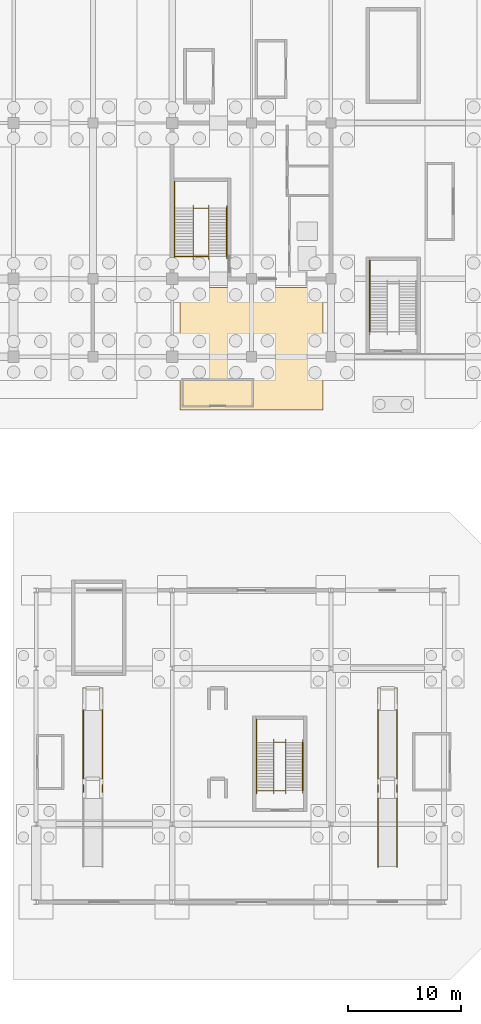
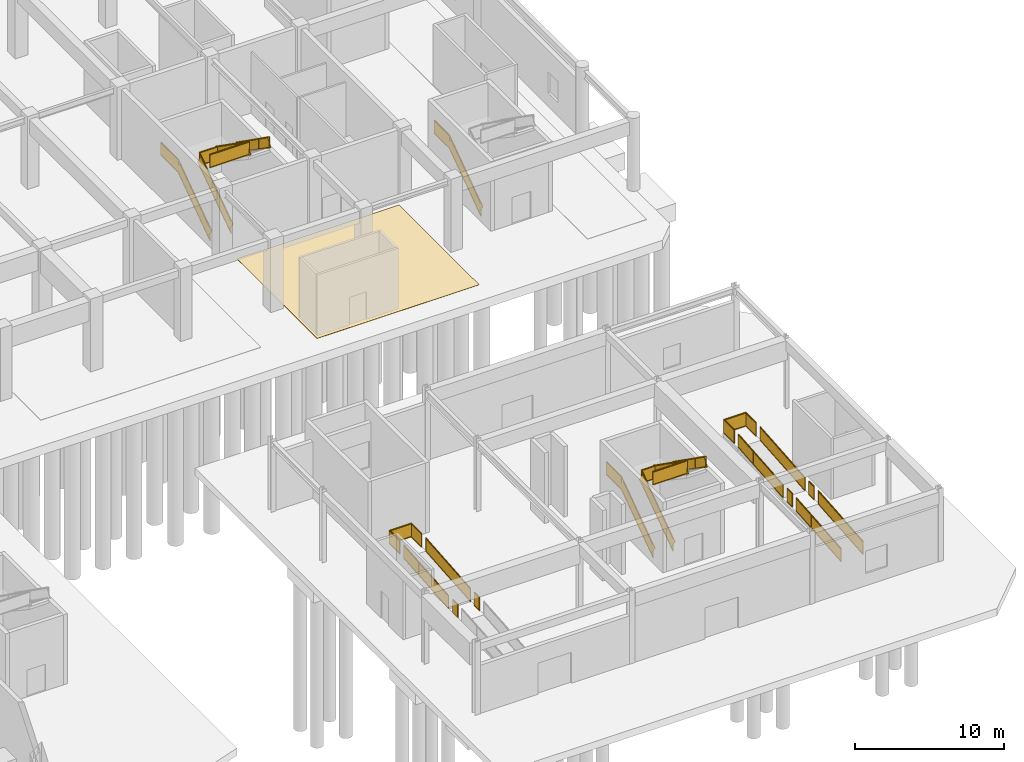
# One storey, part 58 of 62: 19 railings, 1 covering.
"""IFC4 building model written with IfcOpenShell, lengths in metres."""

from ifc_helpers import new_model, si_unit, direction, frame, origin, origin_2d, place, context, subcontext, project, spatial, polyline, rectangle, outline, extrude, material, layer, layer_set, type_object, element, save


model = new_model("IFC4")

# Units and contexts
model_context = context("Model", 3, precision=1e-05, world=origin(), true_north=direction((0.0, 1.0)))
body_context = subcontext(model_context, "Body", "Model", "MODEL_VIEW")
ifc_project = project(units=[si_unit("LENGTHUNIT", "METRE"), si_unit("AREAUNIT", "SQUARE_METRE"), si_unit("VOLUMEUNIT", "CUBIC_METRE"), si_unit("PLANEANGLEUNIT", "RADIAN"), si_unit("MASSUNIT", "GRAM", prefix="KILO")], contexts=[model_context])

# Site, building, storey
site_placement = place(None, origin())
site = spatial("IfcSite", under=ifc_project, at=site_placement, CompositionType="ELEMENT")
building_placement = place(site_placement, origin())
building = spatial("IfcBuilding", under=site, at=building_placement, Name="Linyun Crest Stadium", CompositionType="ELEMENT")
storey_placement = place(building_placement, frame((0.0, 0.0, -6.0)))
storey = spatial("IfcBuildingStorey", under=building, at=storey_placement, Name="B1", CompositionType="ELEMENT", Elevation=-6.0)

# Covering
ifc_material_1 = material(Name="Polymeric cushioned multi-sport athletic flooring")
ifc_layer = layer(ifc_material_1, 0.01806640625)
ifc_layer_set = layer_set([ifc_layer], Name="Polymeric cushioned multi-sport athletic flooring")
covering_type = type_object("IfcCoveringType", Name="FLR01", PredefinedType="FLOORING", material=ifc_layer_set)
covering_placement = place(storey_placement, origin())
element("IfcCovering", 1, at=covering_placement, inside=storey, type_object=covering_type, Name="Athletic flooring FLR01 63", PredefinedType="FLOORING", context=body_context, shape_type="SweptSolid", body=[
    extrude(outline(polyline([(70.699951171875, -50.699951171875), (83.300048828125, -50.699951171875), (83.300048828125, -39.89990234375), (70.699951171875, -39.89990234375), (70.699951171875, -50.699951171875)])), origin(), (0.0, 0.0, 1.0), 0.01806640625),
])

# Railings
ifc_material_2 = material(Name="Verdigris painted steel botanical balustrade", Category="steel")
railing_type_1 = type_object("IfcRailingType", Name="GR01", PredefinedType="BALUSTRADE", material=ifc_material_2)
railing_1_placement = place(storey_placement, frame((62.159912109375, -84.422119140625, 0.5)))
element("IfcRailing", 2, at=railing_1_placement, inside=storey, type_object=railing_type_1, Name="Slab edge balustrade GR01 394", PredefinedType="BALUSTRADE", context=body_context, shape_type="SweptSolid", body=[
    extrude(rectangle(XDim=0.06005859375, YDim=0.06005859375, at=origin_2d()), frame((0.0, 0.0, 1.119873046875), z_axis=(0.0, 1.0, 0.0), x_axis=(-1.0, 0.0, 0.0)), (0.0, 0.0, 1.0), 0.64404296875),
    extrude(rectangle(XDim=0.030029296875, YDim=1.02978515625, at=origin_2d()), frame((0.0, 0.0, 0.574951171875), z_axis=(0.0, 1.0, 0.0), x_axis=(-1.0, 0.0, 0.0)), (0.0, 0.0, 1.0), 0.64404296875),
    extrude(rectangle(XDim=0.06005859375, YDim=0.06005859375, at=origin_2d()), frame((0.0, 0.0, 0.030029296875), z_axis=(0.0, 1.0, 0.0), x_axis=(-1.0, 0.0, 0.0)), (0.0, 0.0, 1.0), 0.64404296875),
    extrude(rectangle(XDim=0.050048828125, YDim=0.050048828125, at=origin_2d()), origin(), (0.0, 0.0, 1.0), 1.14990234375),
    extrude(rectangle(XDim=0.050048828125, YDim=0.050048828125, at=origin_2d()), frame((0.0, 0.64404296875, 0.0)), (0.0, 0.0, 1.0), 1.14990234375),
])
railing_2_placement = place(storey_placement, frame((63.840087890625, -83.778076171875, 0.5)))
element("IfcRailing", 3, at=railing_2_placement, inside=storey, type_object=railing_type_1, Name="Slab edge balustrade GR01 395", PredefinedType="BALUSTRADE", context=body_context, shape_type="SweptSolid", body=[
    extrude(rectangle(XDim=0.06005859375, YDim=0.06005859375, at=origin_2d()), frame((0.0, 0.0, 1.119873046875), z_axis=(0.0, -1.0, 0.0), x_axis=(1.0, 0.0, 0.0)), (0.0, 0.0, 1.0), 0.64404296875),
    extrude(rectangle(XDim=0.030029296875, YDim=1.02978515625, at=origin_2d()), frame((0.0, 0.0, 0.574951171875), z_axis=(0.0, -1.0, 0.0), x_axis=(1.0, 0.0, 0.0)), (0.0, 0.0, 1.0), 0.64404296875),
    extrude(rectangle(XDim=0.06005859375, YDim=0.06005859375, at=origin_2d()), frame((0.0, 0.0, 0.030029296875), z_axis=(0.0, -1.0, 0.0), x_axis=(1.0, 0.0, 0.0)), (0.0, 0.0, 1.0), 0.64404296875),
    extrude(rectangle(XDim=0.050048828125, YDim=0.050048828125, at=origin_2d()), origin(), (0.0, 0.0, 1.0), 1.14990234375),
    extrude(rectangle(XDim=0.050048828125, YDim=0.050048828125, at=origin_2d()), frame((0.0, -0.64404296875, 0.0)), (0.0, 0.0, 1.0), 1.14990234375),
])
railing_3_placement = place(storey_placement, frame((62.159912109375, -76.6220703125, 1.0)))
element("IfcRailing", 4, at=railing_3_placement, inside=storey, type_object=railing_type_1, Name="Slab edge balustrade GR01 396", PredefinedType="BALUSTRADE", context=body_context, shape_type="SweptSolid", body=[
    extrude(rectangle(XDim=0.06005859375, YDim=0.06005859375, at=origin_2d()), frame((0.0, 0.0, 1.119873046875), z_axis=(0.0, 1.0, 0.0), x_axis=(-1.0, 0.0, 0.0)), (0.0, 0.0, 1.0), 1.362060546875),
    extrude(rectangle(XDim=0.030029296875, YDim=1.02978515625, at=origin_2d()), frame((0.0, 0.0, 0.574951171875), z_axis=(0.0, 1.0, 0.0), x_axis=(-1.0, 0.0, 0.0)), (0.0, 0.0, 1.0), 1.362060546875),
    extrude(rectangle(XDim=0.06005859375, YDim=0.06005859375, at=origin_2d()), frame((0.0, 0.0, 0.030029296875), z_axis=(0.0, 1.0, 0.0), x_axis=(-1.0, 0.0, 0.0)), (0.0, 0.0, 1.0), 1.362060546875),
    extrude(rectangle(XDim=0.06005859375, YDim=0.06005859375, at=origin_2d()), frame((0.0, 1.362060546875, 1.119873046875), z_axis=(1.0, 0.0, 0.0), x_axis=(0.0, 1.0, 0.0)), (0.0, 0.0, 1.0), 1.68017578125),
    extrude(rectangle(XDim=0.030029296875, YDim=1.02978515625, at=origin_2d()), frame((0.0, 1.362060546875, 0.574951171875), z_axis=(1.0, 0.0, 0.0), x_axis=(0.0, 1.0, 0.0)), (0.0, 0.0, 1.0), 1.68017578125),
    extrude(rectangle(XDim=0.06005859375, YDim=0.06005859375, at=origin_2d()), frame((0.0, 1.362060546875, 0.030029296875), z_axis=(1.0, 0.0, 0.0), x_axis=(0.0, 1.0, 0.0)), (0.0, 0.0, 1.0), 1.68017578125),
    extrude(rectangle(XDim=0.06005859375, YDim=0.06005859375, at=origin_2d()), frame((1.68017578125, 1.362060546875, 1.119873046875), z_axis=(0.0, -1.0, 0.0), x_axis=(1.0, 0.0, 0.0)), (0.0, 0.0, 1.0), 1.362060546875),
    extrude(rectangle(XDim=0.030029296875, YDim=1.02978515625, at=origin_2d()), frame((1.68017578125, 1.362060546875, 0.574951171875), z_axis=(0.0, -1.0, 0.0), x_axis=(1.0, 0.0, 0.0)), (0.0, 0.0, 1.0), 1.362060546875),
    extrude(rectangle(XDim=0.06005859375, YDim=0.06005859375, at=origin_2d()), frame((1.68017578125, 1.362060546875, 0.030029296875), z_axis=(0.0, -1.0, 0.0), x_axis=(1.0, 0.0, 0.0)), (0.0, 0.0, 1.0), 1.362060546875),
    extrude(rectangle(XDim=0.050048828125, YDim=0.050048828125, at=origin_2d()), origin(), (0.0, 0.0, 1.0), 1.14990234375),
    extrude(rectangle(XDim=0.050048828125, YDim=0.050048828125, at=origin_2d()), frame((0.0, 1.362060546875, 0.0)), (0.0, 0.0, 1.0), 1.14990234375),
    extrude(rectangle(XDim=0.050048828125, YDim=0.050048828125, at=origin_2d()), frame((1.68017578125, 1.362060546875, 0.0)), (0.0, 0.0, 1.0), 1.14990234375),
    extrude(rectangle(XDim=0.050048828125, YDim=0.050048828125, at=origin_2d()), frame((1.68017578125, 0.0, 0.0)), (0.0, 0.0, 1.0), 1.14990234375),
])
railing_4_placement = place(storey_placement, frame((88.159912109375, -84.422119140625, 0.5)))
element("IfcRailing", 5, at=railing_4_placement, inside=storey, type_object=railing_type_1, Name="Slab edge balustrade GR01 397", PredefinedType="BALUSTRADE", context=body_context, shape_type="SweptSolid", body=[
    extrude(rectangle(XDim=0.06005859375, YDim=0.06005859375, at=origin_2d()), frame((0.0, 0.0, 1.119873046875), z_axis=(0.0, 1.0, 0.0), x_axis=(-1.0, 0.0, 0.0)), (0.0, 0.0, 1.0), 0.64404296875),
    extrude(rectangle(XDim=0.030029296875, YDim=1.02978515625, at=origin_2d()), frame((0.0, 0.0, 0.574951171875), z_axis=(0.0, 1.0, 0.0), x_axis=(-1.0, 0.0, 0.0)), (0.0, 0.0, 1.0), 0.64404296875),
    extrude(rectangle(XDim=0.06005859375, YDim=0.06005859375, at=origin_2d()), frame((0.0, 0.0, 0.030029296875), z_axis=(0.0, 1.0, 0.0), x_axis=(-1.0, 0.0, 0.0)), (0.0, 0.0, 1.0), 0.64404296875),
    extrude(rectangle(XDim=0.050048828125, YDim=0.050048828125, at=origin_2d()), origin(), (0.0, 0.0, 1.0), 1.14990234375),
    extrude(rectangle(XDim=0.050048828125, YDim=0.050048828125, at=origin_2d()), frame((0.0, 0.64404296875, 0.0)), (0.0, 0.0, 1.0), 1.14990234375),
])
railing_5_placement = place(storey_placement, frame((89.840087890625, -83.778076171875, 0.5)))
element("IfcRailing", 6, at=railing_5_placement, inside=storey, type_object=railing_type_1, Name="Slab edge balustrade GR01 398", PredefinedType="BALUSTRADE", context=body_context, shape_type="SweptSolid", body=[
    extrude(rectangle(XDim=0.06005859375, YDim=0.06005859375, at=origin_2d()), frame((0.0, 0.0, 1.119873046875), z_axis=(0.0, -1.0, 0.0), x_axis=(1.0, 0.0, 0.0)), (0.0, 0.0, 1.0), 0.64404296875),
    extrude(rectangle(XDim=0.030029296875, YDim=1.02978515625, at=origin_2d()), frame((0.0, 0.0, 0.574951171875), z_axis=(0.0, -1.0, 0.0), x_axis=(1.0, 0.0, 0.0)), (0.0, 0.0, 1.0), 0.64404296875),
    extrude(rectangle(XDim=0.06005859375, YDim=0.06005859375, at=origin_2d()), frame((0.0, 0.0, 0.030029296875), z_axis=(0.0, -1.0, 0.0), x_axis=(1.0, 0.0, 0.0)), (0.0, 0.0, 1.0), 0.64404296875),
    extrude(rectangle(XDim=0.050048828125, YDim=0.050048828125, at=origin_2d()), origin(), (0.0, 0.0, 1.0), 1.14990234375),
    extrude(rectangle(XDim=0.050048828125, YDim=0.050048828125, at=origin_2d()), frame((0.0, -0.64404296875, 0.0)), (0.0, 0.0, 1.0), 1.14990234375),
])
railing_6_placement = place(storey_placement, frame((88.159912109375, -76.6220703125, 1.0)))
element("IfcRailing", 7, at=railing_6_placement, inside=storey, type_object=railing_type_1, Name="Slab edge balustrade GR01 399", PredefinedType="BALUSTRADE", context=body_context, shape_type="SweptSolid", body=[
    extrude(rectangle(XDim=0.06005859375, YDim=0.06005859375, at=origin_2d()), frame((0.0, 0.0, 1.119873046875), z_axis=(0.0, 1.0, 0.0), x_axis=(-1.0, 0.0, 0.0)), (0.0, 0.0, 1.0), 1.362060546875),
    extrude(rectangle(XDim=0.030029296875, YDim=1.02978515625, at=origin_2d()), frame((0.0, 0.0, 0.574951171875), z_axis=(0.0, 1.0, 0.0), x_axis=(-1.0, 0.0, 0.0)), (0.0, 0.0, 1.0), 1.362060546875),
    extrude(rectangle(XDim=0.06005859375, YDim=0.06005859375, at=origin_2d()), frame((0.0, 0.0, 0.030029296875), z_axis=(0.0, 1.0, 0.0), x_axis=(-1.0, 0.0, 0.0)), (0.0, 0.0, 1.0), 1.362060546875),
    extrude(rectangle(XDim=0.06005859375, YDim=0.06005859375, at=origin_2d()), frame((0.0, 1.362060546875, 1.119873046875), z_axis=(1.0, 0.0, 0.0), x_axis=(0.0, 1.0, 0.0)), (0.0, 0.0, 1.0), 1.68017578125),
    extrude(rectangle(XDim=0.030029296875, YDim=1.02978515625, at=origin_2d()), frame((0.0, 1.362060546875, 0.574951171875), z_axis=(1.0, 0.0, 0.0), x_axis=(0.0, 1.0, 0.0)), (0.0, 0.0, 1.0), 1.68017578125),
    extrude(rectangle(XDim=0.06005859375, YDim=0.06005859375, at=origin_2d()), frame((0.0, 1.362060546875, 0.030029296875), z_axis=(1.0, 0.0, 0.0), x_axis=(0.0, 1.0, 0.0)), (0.0, 0.0, 1.0), 1.68017578125),
    extrude(rectangle(XDim=0.06005859375, YDim=0.06005859375, at=origin_2d()), frame((1.68017578125, 1.362060546875, 1.119873046875), z_axis=(0.0, -1.0, 0.0), x_axis=(1.0, 0.0, 0.0)), (0.0, 0.0, 1.0), 1.362060546875),
    extrude(rectangle(XDim=0.030029296875, YDim=1.02978515625, at=origin_2d()), frame((1.68017578125, 1.362060546875, 0.574951171875), z_axis=(0.0, -1.0, 0.0), x_axis=(1.0, 0.0, 0.0)), (0.0, 0.0, 1.0), 1.362060546875),
    extrude(rectangle(XDim=0.06005859375, YDim=0.06005859375, at=origin_2d()), frame((1.68017578125, 1.362060546875, 0.030029296875), z_axis=(0.0, -1.0, 0.0), x_axis=(1.0, 0.0, 0.0)), (0.0, 0.0, 1.0), 1.362060546875),
    extrude(rectangle(XDim=0.050048828125, YDim=0.050048828125, at=origin_2d()), origin(), (0.0, 0.0, 1.0), 1.14990234375),
    extrude(rectangle(XDim=0.050048828125, YDim=0.050048828125, at=origin_2d()), frame((0.0, 1.362060546875, 0.0)), (0.0, 0.0, 1.0), 1.14990234375),
    extrude(rectangle(XDim=0.050048828125, YDim=0.050048828125, at=origin_2d()), frame((1.68017578125, 1.362060546875, 0.0)), (0.0, 0.0, 1.0), 1.14990234375),
    extrude(rectangle(XDim=0.050048828125, YDim=0.050048828125, at=origin_2d()), frame((1.68017578125, 0.0, 0.0)), (0.0, 0.0, 1.0), 1.14990234375),
])
ifc_material_3 = material(Name="Painted steel stairwell safety guard", Category="steel")
railing_type_2 = type_object("IfcRailingType", Name="GR03", PredefinedType="GUARDRAIL", material=ifc_material_3)
railing_7_placement = place(storey_placement, frame((70.205078125, -37.135009765625, 0.0)))
element("IfcRailing", 8, at=railing_7_placement, inside=storey, type_object=railing_type_2, Name="STR-04-B1 outer guard", PredefinedType="GUARDRAIL", context=body_context, shape_type="SweptSolid", body=[
    extrude(rectangle(XDim=0.06005859375, YDim=0.06005859375, at=origin_2d()), frame((0.0, 0.0, 1.090087890625), z_axis=(0.0, 0.816967863265, 0.576683197599), x_axis=(-1.0, 0.0, 0.0)), (0.0, 0.0, 1.0), 5.2021484375),
    extrude(rectangle(XDim=0.030029296875, YDim=1.0, at=origin_2d()), frame((0.0, 0.0, 0.56005859375), z_axis=(0.0, 0.816967863265, 0.576683197599), x_axis=(-1.0, 0.0, 0.0)), (0.0, 0.0, 1.0), 5.2021484375),
    extrude(rectangle(XDim=0.06005859375, YDim=0.06005859375, at=origin_2d()), frame((0.0, 0.0, 0.030029296875), z_axis=(0.0, 0.816967863265, 0.576683197599), x_axis=(-1.0, 0.0, 0.0)), (0.0, 0.0, 1.0), 5.2021484375),
    extrude(rectangle(XDim=0.06005859375, YDim=0.06005859375, at=origin_2d()), frame((0.0, 4.25, 4.090087890625), z_axis=(0.0, 1.0, 0.0), x_axis=(-1.0, 0.0, 0.0)), (0.0, 0.0, 1.0), 2.330078125),
    extrude(rectangle(XDim=0.030029296875, YDim=1.0, at=origin_2d()), frame((0.0, 4.25, 3.56005859375), z_axis=(0.0, 1.0, 0.0), x_axis=(-1.0, 0.0, 0.0)), (0.0, 0.0, 1.0), 2.330078125),
    extrude(rectangle(XDim=0.06005859375, YDim=0.06005859375, at=origin_2d()), frame((0.0, 4.25, 3.030029296875), z_axis=(0.0, 1.0, 0.0), x_axis=(-1.0, 0.0, 0.0)), (0.0, 0.0, 1.0), 2.330078125),
    extrude(rectangle(XDim=0.050048828125, YDim=0.050048828125, at=origin_2d()), origin(), (0.0, 0.0, 1.0), 1.1201171875),
    extrude(rectangle(XDim=0.050048828125, YDim=0.050048828125, at=origin_2d()), frame((0.0, 1.416748046875, 1.0)), (0.0, 0.0, 1.0), 1.1201171875),
    extrude(rectangle(XDim=0.050048828125, YDim=0.050048828125, at=origin_2d()), frame((0.0, 2.833251953125, 2.0)), (0.0, 0.0, 1.0), 1.1201171875),
    extrude(rectangle(XDim=0.050048828125, YDim=0.050048828125, at=origin_2d()), frame((0.0, 4.25, 3.0)), (0.0, 0.0, 1.0), 1.1201171875),
    extrude(rectangle(XDim=0.050048828125, YDim=0.050048828125, at=origin_2d()), frame((0.0, 5.4150390625, 3.0)), (0.0, 0.0, 1.0), 1.1201171875),
    extrude(rectangle(XDim=0.050048828125, YDim=0.050048828125, at=origin_2d()), frame((0.0, 6.580078125, 3.0)), (0.0, 0.0, 1.0), 1.1201171875),
])
railing_8_placement = place(storey_placement, frame((71.844970703125, -37.155029296875, 0.0)))
element("IfcRailing", 9, at=railing_8_placement, inside=storey, type_object=railing_type_2, Name="STR-04-B1 inner well guard", PredefinedType="GUARDRAIL", context=body_context, shape_type="SweptSolid", body=[
    extrude(rectangle(XDim=0.06005859375, YDim=0.06005859375, at=origin_2d()), frame((0.0, 0.0, 1.090087890625), z_axis=(0.0, 0.818241657069, 0.574874412926), x_axis=(-1.0, 0.0, 0.0)), (0.0, 0.0, 1.0), 5.218505859375),
    extrude(rectangle(XDim=0.030029296875, YDim=1.0, at=origin_2d()), frame((0.0, 0.0, 0.56005859375), z_axis=(0.0, 0.818241657069, 0.574874412926), x_axis=(-1.0, 0.0, 0.0)), (0.0, 0.0, 1.0), 5.218505859375),
    extrude(rectangle(XDim=0.06005859375, YDim=0.06005859375, at=origin_2d()), frame((0.0, 0.0, 0.030029296875), z_axis=(0.0, 0.818241657069, 0.574874412926), x_axis=(-1.0, 0.0, 0.0)), (0.0, 0.0, 1.0), 5.218505859375),
    extrude(rectangle(XDim=0.06005859375, YDim=0.06005859375, at=origin_2d()), frame((0.0, 4.27001953125, 4.090087890625), z_axis=(1.0, 0.0, 0.0), x_axis=(0.0, 1.0, 0.0)), (0.0, 0.0, 1.0), 1.385009765625),
    extrude(rectangle(XDim=0.030029296875, YDim=1.0, at=origin_2d()), frame((0.0, 4.27001953125, 3.56005859375), z_axis=(1.0, 0.0, 0.0), x_axis=(0.0, 1.0, 0.0)), (0.0, 0.0, 1.0), 1.385009765625),
    extrude(rectangle(XDim=0.06005859375, YDim=0.06005859375, at=origin_2d()), frame((0.0, 4.27001953125, 3.030029296875), z_axis=(1.0, 0.0, 0.0), x_axis=(0.0, 1.0, 0.0)), (0.0, 0.0, 1.0), 1.385009765625),
    extrude(rectangle(XDim=0.06005859375, YDim=0.06005859375, at=origin_2d()), frame((1.385009765625, 4.27001953125, 4.090087890625), z_axis=(0.0, -0.818241657069, 0.574874412926), x_axis=(1.0, 0.0, 0.0)), (0.0, 0.0, 1.0), 5.218505859375),
    extrude(rectangle(XDim=0.030029296875, YDim=1.0, at=origin_2d()), frame((1.385009765625, 4.27001953125, 3.56005859375), z_axis=(0.0, -0.818241657069, 0.574874412926), x_axis=(1.0, 0.0, 0.0)), (0.0, 0.0, 1.0), 5.218505859375),
    extrude(rectangle(XDim=0.06005859375, YDim=0.06005859375, at=origin_2d()), frame((1.385009765625, 4.27001953125, 3.030029296875), z_axis=(0.0, -0.818241657069, 0.574874412926), x_axis=(1.0, 0.0, 0.0)), (0.0, 0.0, 1.0), 5.218505859375),
    extrude(rectangle(XDim=0.06005859375, YDim=0.06005859375, at=origin_2d()), frame((1.385009765625, 0.0, 7.090087890625), z_axis=(-1.0, 0.0, 0.0), x_axis=(0.0, -1.0, 0.0)), (0.0, 0.0, 1.0), 3.034912109375),
    extrude(rectangle(XDim=0.030029296875, YDim=1.0, at=origin_2d()), frame((1.385009765625, 0.0, 6.56005859375), z_axis=(-1.0, 0.0, 0.0), x_axis=(0.0, -1.0, 0.0)), (0.0, 0.0, 1.0), 3.034912109375),
    extrude(rectangle(XDim=0.06005859375, YDim=0.06005859375, at=origin_2d()), frame((1.385009765625, 0.0, 6.030029296875), z_axis=(-1.0, 0.0, 0.0), x_axis=(0.0, -1.0, 0.0)), (0.0, 0.0, 1.0), 3.034912109375),
    extrude(rectangle(XDim=0.050048828125, YDim=0.050048828125, at=origin_2d()), origin(), (0.0, 0.0, 1.0), 1.1201171875),
    extrude(rectangle(XDim=0.050048828125, YDim=0.050048828125, at=origin_2d()), frame((0.0, 1.42333984375, 1.0)), (0.0, 0.0, 1.0), 1.1201171875),
    extrude(rectangle(XDim=0.050048828125, YDim=0.050048828125, at=origin_2d()), frame((0.0, 2.8466796875, 2.0)), (0.0, 0.0, 1.0), 1.1201171875),
    extrude(rectangle(XDim=0.050048828125, YDim=0.050048828125, at=origin_2d()), frame((0.0, 4.27001953125, 3.0)), (0.0, 0.0, 1.0), 1.1201171875),
    extrude(rectangle(XDim=0.050048828125, YDim=0.050048828125, at=origin_2d()), frame((1.385009765625, 4.27001953125, 3.0)), (0.0, 0.0, 1.0), 1.1201171875),
    extrude(rectangle(XDim=0.050048828125, YDim=0.050048828125, at=origin_2d()), frame((1.385009765625, 2.8466796875, 4.0)), (0.0, 0.0, 1.0), 1.1201171875),
    extrude(rectangle(XDim=0.050048828125, YDim=0.050048828125, at=origin_2d()), frame((1.385009765625, 1.42333984375, 5.0)), (0.0, 0.0, 1.0), 1.1201171875),
    extrude(rectangle(XDim=0.050048828125, YDim=0.050048828125, at=origin_2d()), frame((1.385009765625, 0.0, 6.0)), (0.0, 0.0, 1.0), 1.1201171875),
    extrude(rectangle(XDim=0.050048828125, YDim=0.050048828125, at=origin_2d()), frame((-0.13232421875, 0.0, 6.0)), (0.0, 0.0, 1.0), 1.1201171875),
    extrude(rectangle(XDim=0.050048828125, YDim=0.050048828125, at=origin_2d()), frame((-1.64990234375, 0.0, 6.0)), (0.0, 0.0, 1.0), 1.1201171875),
])
railing_9_placement = place(storey_placement, frame((87.429931640625, -43.780029296875, 0.0)))
element("IfcRailing", 10, at=railing_9_placement, inside=storey, type_object=railing_type_2, Name="STR-18-B1 outer guard", PredefinedType="GUARDRAIL", context=body_context, shape_type="SweptSolid", body=[
    extrude(rectangle(XDim=0.06005859375, YDim=0.06005859375, at=origin_2d()), frame((0.0, 0.0, 1.090087890625), z_axis=(0.0, 0.816967863265, 0.576683197599), x_axis=(-1.0, 0.0, 0.0)), (0.0, 0.0, 1.0), 5.2021484375),
    extrude(rectangle(XDim=0.030029296875, YDim=1.0, at=origin_2d()), frame((0.0, 0.0, 0.56005859375), z_axis=(0.0, 0.816967863265, 0.576683197599), x_axis=(-1.0, 0.0, 0.0)), (0.0, 0.0, 1.0), 5.2021484375),
    extrude(rectangle(XDim=0.06005859375, YDim=0.06005859375, at=origin_2d()), frame((0.0, 0.0, 0.030029296875), z_axis=(0.0, 0.816967863265, 0.576683197599), x_axis=(-1.0, 0.0, 0.0)), (0.0, 0.0, 1.0), 5.2021484375),
    extrude(rectangle(XDim=0.06005859375, YDim=0.06005859375, at=origin_2d()), frame((0.0, 4.25, 4.090087890625), z_axis=(0.0, 1.0, 0.0), x_axis=(-1.0, 0.0, 0.0)), (0.0, 0.0, 1.0), 2.0),
    extrude(rectangle(XDim=0.030029296875, YDim=1.0, at=origin_2d()), frame((0.0, 4.25, 3.56005859375), z_axis=(0.0, 1.0, 0.0), x_axis=(-1.0, 0.0, 0.0)), (0.0, 0.0, 1.0), 2.0),
    extrude(rectangle(XDim=0.06005859375, YDim=0.06005859375, at=origin_2d()), frame((0.0, 4.25, 3.030029296875), z_axis=(0.0, 1.0, 0.0), x_axis=(-1.0, 0.0, 0.0)), (0.0, 0.0, 1.0), 2.0),
    extrude(rectangle(XDim=0.050048828125, YDim=0.050048828125, at=origin_2d()), origin(), (0.0, 0.0, 1.0), 1.1201171875),
    extrude(rectangle(XDim=0.050048828125, YDim=0.050048828125, at=origin_2d()), frame((0.0, 1.416748046875, 1.0)), (0.0, 0.0, 1.0), 1.1201171875),
    extrude(rectangle(XDim=0.050048828125, YDim=0.050048828125, at=origin_2d()), frame((0.0, 2.833251953125, 2.0)), (0.0, 0.0, 1.0), 1.1201171875),
    extrude(rectangle(XDim=0.050048828125, YDim=0.050048828125, at=origin_2d()), frame((0.0, 4.25, 3.0)), (0.0, 0.0, 1.0), 1.1201171875),
    extrude(rectangle(XDim=0.050048828125, YDim=0.050048828125, at=origin_2d()), frame((0.0, 6.25, 3.0)), (0.0, 0.0, 1.0), 1.1201171875),
])
railing_10_placement = place(storey_placement, frame((77.429931640625, -84.280029296875, 0.0)))
element("IfcRailing", 11, at=railing_10_placement, inside=storey, type_object=railing_type_2, Name="STR-31-B1 outer guard", PredefinedType="GUARDRAIL", context=body_context, shape_type="SweptSolid", body=[
    extrude(rectangle(XDim=0.06005859375, YDim=0.06005859375, at=origin_2d()), frame((0.0, 0.0, 1.090087890625), z_axis=(0.0, 0.816967863265, 0.576683197599), x_axis=(-1.0, 0.0, 0.0)), (0.0, 0.0, 1.0), 5.2021484375),
    extrude(rectangle(XDim=0.030029296875, YDim=1.0, at=origin_2d()), frame((0.0, 0.0, 0.56005859375), z_axis=(0.0, 0.816967863265, 0.576683197599), x_axis=(-1.0, 0.0, 0.0)), (0.0, 0.0, 1.0), 5.2021484375),
    extrude(rectangle(XDim=0.06005859375, YDim=0.06005859375, at=origin_2d()), frame((0.0, 0.0, 0.030029296875), z_axis=(0.0, 0.816967863265, 0.576683197599), x_axis=(-1.0, 0.0, 0.0)), (0.0, 0.0, 1.0), 5.2021484375),
    extrude(rectangle(XDim=0.06005859375, YDim=0.06005859375, at=origin_2d()), frame((0.0, 4.25, 4.090087890625), z_axis=(0.0, 1.0, 0.0), x_axis=(-1.0, 0.0, 0.0)), (0.0, 0.0, 1.0), 2.0),
    extrude(rectangle(XDim=0.030029296875, YDim=1.0, at=origin_2d()), frame((0.0, 4.25, 3.56005859375), z_axis=(0.0, 1.0, 0.0), x_axis=(-1.0, 0.0, 0.0)), (0.0, 0.0, 1.0), 2.0),
    extrude(rectangle(XDim=0.06005859375, YDim=0.06005859375, at=origin_2d()), frame((0.0, 4.25, 3.030029296875), z_axis=(0.0, 1.0, 0.0), x_axis=(-1.0, 0.0, 0.0)), (0.0, 0.0, 1.0), 2.0),
    extrude(rectangle(XDim=0.050048828125, YDim=0.050048828125, at=origin_2d()), origin(), (0.0, 0.0, 1.0), 1.1201171875),
    extrude(rectangle(XDim=0.050048828125, YDim=0.050048828125, at=origin_2d()), frame((0.0, 1.416748046875, 1.0)), (0.0, 0.0, 1.0), 1.1201171875),
    extrude(rectangle(XDim=0.050048828125, YDim=0.050048828125, at=origin_2d()), frame((0.0, 2.833251953125, 2.0)), (0.0, 0.0, 1.0), 1.1201171875),
    extrude(rectangle(XDim=0.050048828125, YDim=0.050048828125, at=origin_2d()), frame((0.0, 4.25, 3.0)), (0.0, 0.0, 1.0), 1.1201171875),
    extrude(rectangle(XDim=0.050048828125, YDim=0.050048828125, at=origin_2d()), frame((0.0, 6.25, 3.0)), (0.0, 0.0, 1.0), 1.1201171875),
])
railing_11_placement = place(storey_placement, frame((78.969970703125, -84.300048828125, 0.0)))
element("IfcRailing", 12, at=railing_11_placement, inside=storey, type_object=railing_type_2, Name="STR-31-B1 inner well guard", PredefinedType="GUARDRAIL", context=body_context, shape_type="SweptSolid", body=[
    extrude(rectangle(XDim=0.06005859375, YDim=0.06005859375, at=origin_2d()), frame((0.0, 0.0, 1.090087890625), z_axis=(0.0, 0.818241657069, 0.574874412926), x_axis=(-1.0, 0.0, 0.0)), (0.0, 0.0, 1.0), 5.218505859375),
    extrude(rectangle(XDim=0.030029296875, YDim=1.0, at=origin_2d()), frame((0.0, 0.0, 0.56005859375), z_axis=(0.0, 0.818241657069, 0.574874412926), x_axis=(-1.0, 0.0, 0.0)), (0.0, 0.0, 1.0), 5.218505859375),
    extrude(rectangle(XDim=0.06005859375, YDim=0.06005859375, at=origin_2d()), frame((0.0, 0.0, 0.030029296875), z_axis=(0.0, 0.818241657069, 0.574874412926), x_axis=(-1.0, 0.0, 0.0)), (0.0, 0.0, 1.0), 5.218505859375),
    extrude(rectangle(XDim=0.06005859375, YDim=0.06005859375, at=origin_2d()), frame((0.0, 4.27001953125, 4.090087890625), z_axis=(1.0, 0.0, 0.0), x_axis=(0.0, 1.0, 0.0)), (0.0, 0.0, 1.0), 1.06005859375),
    extrude(rectangle(XDim=0.030029296875, YDim=1.0, at=origin_2d()), frame((0.0, 4.27001953125, 3.56005859375), z_axis=(1.0, 0.0, 0.0), x_axis=(0.0, 1.0, 0.0)), (0.0, 0.0, 1.0), 1.06005859375),
    extrude(rectangle(XDim=0.06005859375, YDim=0.06005859375, at=origin_2d()), frame((0.0, 4.27001953125, 3.030029296875), z_axis=(1.0, 0.0, 0.0), x_axis=(0.0, 1.0, 0.0)), (0.0, 0.0, 1.0), 1.06005859375),
    extrude(rectangle(XDim=0.06005859375, YDim=0.06005859375, at=origin_2d()), frame((1.06005859375, 4.27001953125, 4.090087890625), z_axis=(0.0, -0.818241657069, 0.574874412926), x_axis=(1.0, 0.0, 0.0)), (0.0, 0.0, 1.0), 5.218505859375),
    extrude(rectangle(XDim=0.030029296875, YDim=1.0, at=origin_2d()), frame((1.06005859375, 4.27001953125, 3.56005859375), z_axis=(0.0, -0.818241657069, 0.574874412926), x_axis=(1.0, 0.0, 0.0)), (0.0, 0.0, 1.0), 5.218505859375),
    extrude(rectangle(XDim=0.06005859375, YDim=0.06005859375, at=origin_2d()), frame((1.06005859375, 4.27001953125, 3.030029296875), z_axis=(0.0, -0.818241657069, 0.574874412926), x_axis=(1.0, 0.0, 0.0)), (0.0, 0.0, 1.0), 5.218505859375),
    extrude(rectangle(XDim=0.06005859375, YDim=0.06005859375, at=origin_2d()), frame((1.06005859375, 0.0, 7.090087890625), z_axis=(-1.0, 0.0, 0.0), x_axis=(0.0, -1.0, 0.0)), (0.0, 0.0, 1.0), 2.610107421875),
    extrude(rectangle(XDim=0.030029296875, YDim=1.0, at=origin_2d()), frame((1.06005859375, 0.0, 6.56005859375), z_axis=(-1.0, 0.0, 0.0), x_axis=(0.0, -1.0, 0.0)), (0.0, 0.0, 1.0), 2.610107421875),
    extrude(rectangle(XDim=0.06005859375, YDim=0.06005859375, at=origin_2d()), frame((1.06005859375, 0.0, 6.030029296875), z_axis=(-1.0, 0.0, 0.0), x_axis=(0.0, -1.0, 0.0)), (0.0, 0.0, 1.0), 2.610107421875),
    extrude(rectangle(XDim=0.050048828125, YDim=0.050048828125, at=origin_2d()), origin(), (0.0, 0.0, 1.0), 1.1201171875),
    extrude(rectangle(XDim=0.050048828125, YDim=0.050048828125, at=origin_2d()), frame((0.0, 1.42333984375, 1.0)), (0.0, 0.0, 1.0), 1.1201171875),
    extrude(rectangle(XDim=0.050048828125, YDim=0.050048828125, at=origin_2d()), frame((0.0, 2.8466796875, 2.0)), (0.0, 0.0, 1.0), 1.1201171875),
    extrude(rectangle(XDim=0.050048828125, YDim=0.050048828125, at=origin_2d()), frame((0.0, 4.27001953125, 3.0)), (0.0, 0.0, 1.0), 1.1201171875),
    extrude(rectangle(XDim=0.050048828125, YDim=0.050048828125, at=origin_2d()), frame((1.06005859375, 4.27001953125, 3.0)), (0.0, 0.0, 1.0), 1.1201171875),
    extrude(rectangle(XDim=0.050048828125, YDim=0.050048828125, at=origin_2d()), frame((1.06005859375, 2.8466796875, 4.0)), (0.0, 0.0, 1.0), 1.1201171875),
    extrude(rectangle(XDim=0.050048828125, YDim=0.050048828125, at=origin_2d()), frame((1.06005859375, 1.42333984375, 5.0)), (0.0, 0.0, 1.0), 1.1201171875),
    extrude(rectangle(XDim=0.050048828125, YDim=0.050048828125, at=origin_2d()), frame((1.06005859375, 0.0, 6.0)), (0.0, 0.0, 1.0), 1.1201171875),
    extrude(rectangle(XDim=0.050048828125, YDim=0.050048828125, at=origin_2d()), frame((-0.2451171875, 0.0, 6.0)), (0.0, 0.0, 1.0), 1.1201171875),
    extrude(rectangle(XDim=0.050048828125, YDim=0.050048828125, at=origin_2d()), frame((-1.550048828125, 0.0, 6.0)), (0.0, 0.0, 1.0), 1.1201171875),
])
for number, where, name in (
    (13, (62.14990234375, -83.199951171875, 0.5), "RMP-03 guard 2W"),
    (14, (63.85009765625, -83.199951171875, 0.5), "RMP-03 guard 2E"),
    (15, (88.14990234375, -91.0, 0.0), "RMP-04 guard 1W"),
    (16, (89.85009765625, -91.0, 0.0), "RMP-04 guard 1E"),
    (17, (88.14990234375, -83.199951171875, 0.5), "RMP-04 guard 2W"),
    (18, (89.85009765625, -83.199951171875, 0.5), "RMP-04 guard 2E"),
):
    element("IfcRailing", number, at=place(storey_placement, frame(where)), inside=storey, type_object=railing_type_2, Name=name, PredefinedType="GUARDRAIL", context=body_context, shape_type="SweptSolid", body=[
        extrude(rectangle(XDim=0.06005859375, YDim=0.06005859375, at=origin_2d()), frame((0.0, 0.0, 1.090087890625), z_axis=(0.0, 0.996545758245, 0.083045479854), x_axis=(-1.0, 0.0, 0.0)), (0.0, 0.0, 1.0), 6.020751953125),
        extrude(rectangle(XDim=0.030029296875, YDim=1.0, at=origin_2d()), frame((0.0, 0.0, 0.56005859375), z_axis=(0.0, 0.996545758245, 0.083045479854), x_axis=(-1.0, 0.0, 0.0)), (0.0, 0.0, 1.0), 6.020751953125),
        extrude(rectangle(XDim=0.06005859375, YDim=0.06005859375, at=origin_2d()), frame((0.0, 0.0, 0.030029296875), z_axis=(0.0, 0.996545758245, 0.083045479854), x_axis=(-1.0, 0.0, 0.0)), (0.0, 0.0, 1.0), 6.020751953125),
        extrude(rectangle(XDim=0.050048828125, YDim=0.050048828125, at=origin_2d()), origin(), (0.0, 0.0, 1.0), 1.1201171875),
        extrude(rectangle(XDim=0.050048828125, YDim=0.050048828125, at=origin_2d()), frame((0.0, 2.0, 0.166748046875)), (0.0, 0.0, 1.0), 1.1201171875),
        extrude(rectangle(XDim=0.050048828125, YDim=0.050048828125, at=origin_2d()), frame((0.0, 4.0, 0.333251953125)), (0.0, 0.0, 1.0), 1.1201171875),
        extrude(rectangle(XDim=0.050048828125, YDim=0.050048828125, at=origin_2d()), frame((0.0, 6.0, 0.5)), (0.0, 0.0, 1.0), 1.1201171875),
    ])
ifc_material_4 = material(Name="Brushed stainless steel tubular handrail", Category="steel")
railing_type_3 = type_object("IfcRailingType", Name="HR01", PredefinedType="HANDRAIL", material=ifc_material_4)
for number, where, name in (
    (19, (74.820068359375, -32.885009765625, 3.0), "STR-04-B1 handrail"),
    (20, (81.52001953125, -80.030029296875, 3.0), "STR-31-B1 handrail"),
):
    element("IfcRailing", number, at=place(storey_placement, frame(where)), inside=storey, type_object=railing_type_3, Name=name, PredefinedType="HANDRAIL", context=body_context, shape_type="SweptSolid", body=[
        extrude(rectangle(XDim=0.06005859375, YDim=0.06005859375, at=origin_2d()), frame((0.0, 0.0, 0.889892578125), z_axis=(0.0, -0.816967863265, 0.576683197599), x_axis=(1.0, 0.0, 0.0)), (0.0, 0.0, 1.0), 5.2021484375),
        extrude(rectangle(XDim=0.030029296875, YDim=0.7998046875, at=origin_2d()), frame((0.0, 0.0, 0.4599609375), z_axis=(0.0, -0.816967863265, 0.576683197599), x_axis=(1.0, 0.0, 0.0)), (0.0, 0.0, 1.0), 5.2021484375),
        extrude(rectangle(XDim=0.06005859375, YDim=0.06005859375, at=origin_2d()), frame((0.0, 0.0, 0.030029296875), z_axis=(0.0, -0.816967863265, 0.576683197599), x_axis=(1.0, 0.0, 0.0)), (0.0, 0.0, 1.0), 5.2021484375),
        extrude(rectangle(XDim=0.050048828125, YDim=0.050048828125, at=origin_2d()), origin(), (0.0, 0.0, 1.0), 0.919921875),
        extrude(rectangle(XDim=0.050048828125, YDim=0.050048828125, at=origin_2d()), frame((0.0, -1.416748046875, 1.0)), (0.0, 0.0, 1.0), 0.919921875),
        extrude(rectangle(XDim=0.050048828125, YDim=0.050048828125, at=origin_2d()), frame((0.0, -2.833251953125, 2.0)), (0.0, 0.0, 1.0), 0.919921875),
        extrude(rectangle(XDim=0.050048828125, YDim=0.050048828125, at=origin_2d()), frame((0.0, -4.25, 3.0)), (0.0, 0.0, 1.0), 0.919921875),
    ])

save(model, "model.ifc")
